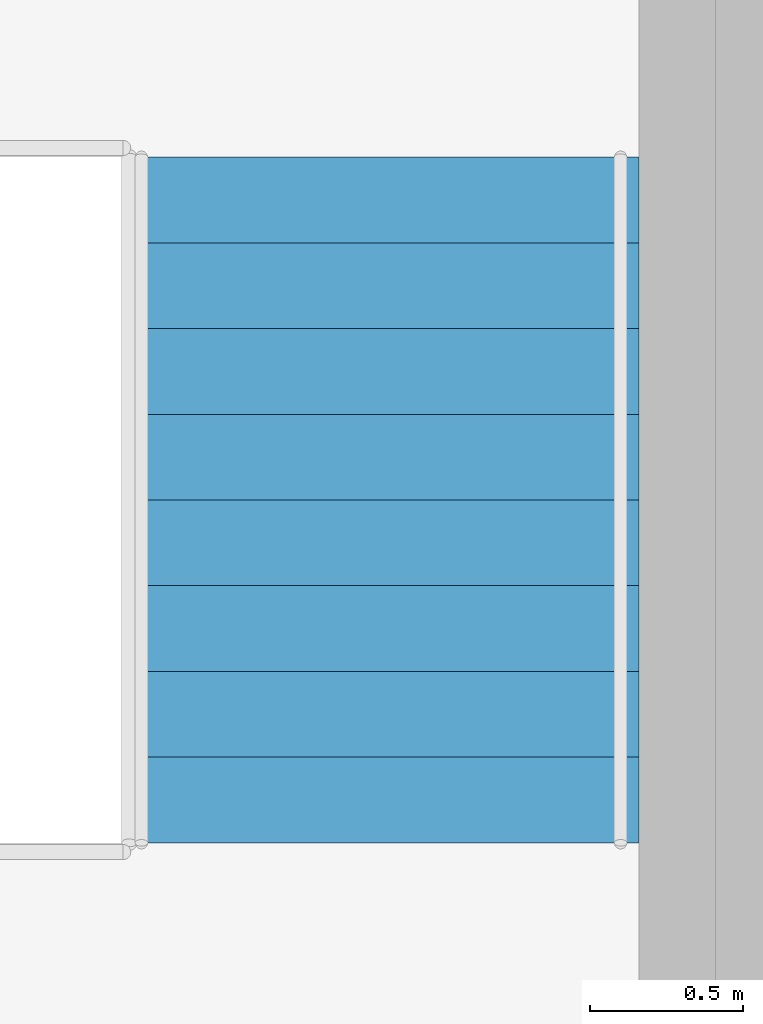
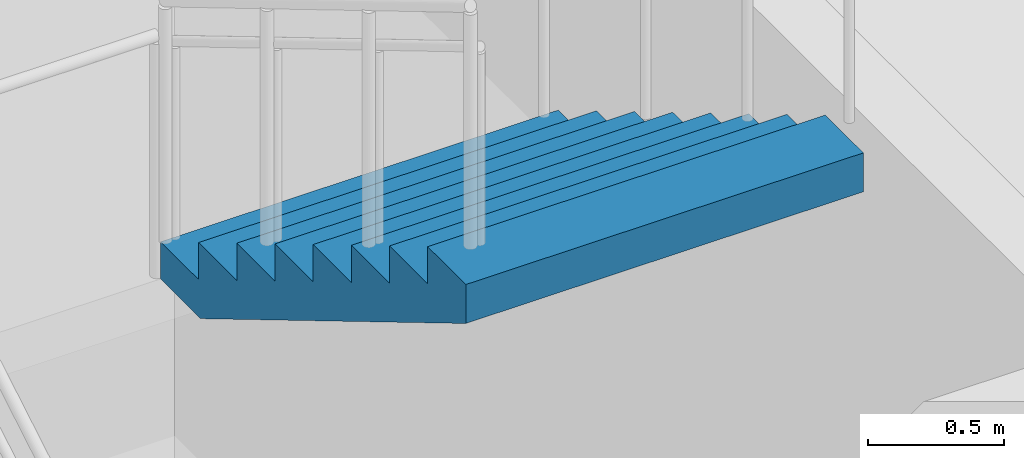
# One storey, part 30 of 57: 1 stair flight, 1 element without a shape of its own.
"""IFC4 building model written with IfcOpenShell, lengths in metres."""

import ifcopenshell
import ifcopenshell.guid

model = None  # the IFC model being written
_history = None  # IfcOwnerHistory: only IFC2X3 demands one
_inside = {}  # id of a spatial element -> (the spatial element, [elements in it])
_under = {}  # id of a project, library or spatial element -> (it, [spatial elements below it])
_declared = {}  # id of a project -> (the project, [libraries it declares])
_typed = {}  # id of a type object -> (the type object, [elements of that type])
_made_of = {}  # id of a material, layer set ... -> (it, [elements and type objects made of it])


def new_model(schema):
    """Start an empty IFC model of exactly this schema.

    Asked for "IFC4X3", IfcOpenShell would pick the latest addendum, in which some entities
    have other attributes; the version numbers below select the first issue.
    IFC2X3 requires an IfcOwnerHistory on every rooted entity: one is made here for all.
    """
    global model, _history
    if schema == "IFC4X3":
        model = ifcopenshell.file(schema_version=(4, 3, 0, 0))
    else:
        model = ifcopenshell.file(schema=schema)
    _inside.clear()
    _under.clear()
    _declared.clear()
    _typed.clear()
    _made_of.clear()
    _history = None
    if model.schema == "IFC2X3":
        org = make("IfcOrganization", Name="unknown")
        user = make(
            "IfcPersonAndOrganization",
            ThePerson=make("IfcPerson", FamilyName="unknown"),
            TheOrganization=org,
        )
        app = make(
            "IfcApplication",
            ApplicationDeveloper=org,
            Version="unknown",
            ApplicationFullName="unknown",
            ApplicationIdentifier="unknown",
        )
        _history = make(
            "IfcOwnerHistory",
            OwningUser=user,
            OwningApplication=app,
            ChangeAction="ADDED",
            CreationDate=0,
        )
    return model


def make(cls, **values):
    """One entity of the class cls with the attributes given. An attribute that is None is left unset."""
    return model.create_entity(
        cls, **{name: value for name, value in values.items() if value is not None}
    )


def rooted(cls, **values):
    """An entity with a GlobalId (a new one), such as an element, a storey or a relation."""
    return make(cls, GlobalId=ifcopenshell.guid.new(), OwnerHistory=_history, **values)


def si_unit(unit_type, name, prefix=None):
    """IfcSIUnit, for example si_unit("LENGTHUNIT", "METRE", prefix="MILLI")."""
    return make("IfcSIUnit", UnitType=unit_type, Prefix=prefix, Name=name)


def assignment(units):
    """IfcUnitAssignment: the units of a project."""
    return None if units is None else make("IfcUnitAssignment", Units=units)


def point(xyz):
    """IfcCartesianPoint."""
    return None if xyz is None else make("IfcCartesianPoint", Coordinates=xyz)


def direction(xyz):
    """IfcDirection."""
    return None if xyz is None else make("IfcDirection", DirectionRatios=xyz)


def frame(location, z_axis=None, x_axis=None):
    """IfcAxis2Placement3D, a coordinate frame: its origin and axes. An axis left out is left unset."""
    return make(
        "IfcAxis2Placement3D",
        Location=point(location),
        Axis=direction(z_axis),
        RefDirection=direction(x_axis),
    )


def origin():
    """The frame at (0, 0, 0) with its axes left unset."""
    return frame((0.0, 0.0, 0.0))


def place(relative_to, where):
    """IfcLocalPlacement: puts the frame where relative to a parent placement (None: the world)."""
    return make(
        "IfcLocalPlacement", PlacementRelTo=relative_to, RelativePlacement=where
    )


def context(
    kind, dimensions, precision=None, world=None, true_north=None, identifier=None
):
    """IfcGeometricRepresentationContext, for example the 3D "Model" context."""
    return make(
        "IfcGeometricRepresentationContext",
        ContextIdentifier=identifier,
        ContextType=kind,
        CoordinateSpaceDimension=dimensions,
        Precision=precision,
        WorldCoordinateSystem=world,
        TrueNorth=true_north,
    )


def subcontext(parent, identifier, kind, view, scale=None):
    """IfcGeometricRepresentationSubContext, for example "Body" below "Model"."""
    return make(
        "IfcGeometricRepresentationSubContext",
        ContextIdentifier=identifier,
        ContextType=kind,
        ParentContext=parent,
        TargetScale=scale,
        TargetView=view,
    )


def project(units=None, contexts=None):
    """IfcProject with its units and contexts."""
    return rooted(
        "IfcProject",
        Name="project",
        RepresentationContexts=contexts,
        UnitsInContext=assignment(units),
    )


def spatial(cls, under=None, at=None, **own):
    """A site, building, storey or space (cls), placed at a placement, below another one or the project."""
    s = rooted(cls, ObjectPlacement=at, **own)
    if under is not None:
        _under.setdefault(under.id(), (under, []))[1].append(s)
    return s


def point_list(points):
    """IfcCartesianPointList2D or 3D."""
    cls = (
        "IfcCartesianPointList2D" if len(points[0]) == 2 else "IfcCartesianPointList3D"
    )
    return make(cls, CoordList=points)


def triangles(points, corners, closed=None, point_numbers=None):
    """IfcTriangulatedFaceSet: each triangle names its three corners, points numbered from 1."""
    return make(
        "IfcTriangulatedFaceSet",
        Coordinates=point_list(points),
        Closed=closed,
        CoordIndex=corners,
        PnIndex=point_numbers,
    )


def shape(context_of_items, identifier, shape_type, items):
    """IfcShapeRepresentation: the items that make up one representation, for example the "Body"."""
    return make(
        "IfcShapeRepresentation",
        ContextOfItems=context_of_items,
        RepresentationIdentifier=identifier,
        RepresentationType=shape_type,
        Items=items,
    )


def material(Name=None, Category=None):
    """IfcMaterial."""
    return make("IfcMaterial", Name=Name, Category=Category)


def made_of(thing, what):
    """Note that an element or type object is made of a material, layer set ...; save() writes the relation."""
    if what is not None:
        _made_of.setdefault(what.id(), (what, []))[1].append(thing)
    return thing


def type_object(cls, material=None, **own):
    """A type object (cls), such as IfcWallType, which elements share."""
    return made_of(rooted(cls, **own), material)


def element(
    cls,
    number,
    at=None,
    inside=None,
    cuts=None,
    type_object=None,
    material=None,
    context=None,
    identifier="Body",
    shape_type=None,
    held_by="IfcProductDefinitionShape",
    body=None,
    shapes=None,
    **own,
):
    """One element of the class cls, such as IfcWall. Its Tag is "e" and its number.

    at: its placement. inside: the storey or other place that contains it. cuts: it is an
    opening in that element (IfcRelVoidsElement). A single representation is given by context,
    identifier, shape_type and body (its items); several are given by shapes. held_by: the class
    of the entity that holds the representations. save() writes the other relations.
    """
    e = rooted(cls, Tag="e%d" % number, ObjectPlacement=at, **own)
    if body is not None:
        shapes = [shape(context, identifier, shape_type, body)]
    if shapes is not None:
        e.Representation = make(held_by, Representations=shapes)
    if inside is not None:
        _inside.setdefault(inside.id(), (inside, []))[1].append(e)
    if cuts is not None:
        rooted(
            "IfcRelVoidsElement", RelatingBuildingElement=cuts, RelatedOpeningElement=e
        )
    if type_object is not None:
        _typed.setdefault(type_object.id(), (type_object, []))[1].append(e)
    return made_of(e, material)


def aggregate(whole, parts):
    """IfcRelAggregates: a whole, such as a stair, and the parts it consists of."""
    return rooted("IfcRelAggregates", RelatingObject=whole, RelatedObjects=parts)


def save(model, path):
    """Write the relations noted so far, then the file.

    IfcRelAggregates (storeys below a building ...), IfcRelContainedInSpatialStructure (elements
    in a storey), IfcRelDefinesByType, IfcRelAssociatesMaterial and IfcRelDeclares: one each for
    every whole, place, type object, material and project.
    """
    for whole, parts in _under.values():
        aggregate(whole, parts)
    for where, things in _inside.values():
        rooted(
            "IfcRelContainedInSpatialStructure",
            RelatedElements=things,
            RelatingStructure=where,
        )
    for kind, things in _typed.values():
        rooted("IfcRelDefinesByType", RelatedObjects=things, RelatingType=kind)
    for what, things in _made_of.values():
        rooted("IfcRelAssociatesMaterial", RelatedObjects=things, RelatingMaterial=what)
    for by, libraries in _declared.values():
        rooted("IfcRelDeclares", RelatingContext=by, RelatedDefinitions=libraries)
    model.write(path)


model = new_model("IFC4")

# Units and contexts
model_context = context("Model", 3, precision=1e-05, world=origin(), true_north=direction((0.0, 1.0)))
body_context = subcontext(model_context, "Body", "Model", "MODEL_VIEW")
ifc_project = project(units=[si_unit("LENGTHUNIT", "METRE"), si_unit("AREAUNIT", "SQUARE_METRE"), si_unit("VOLUMEUNIT", "CUBIC_METRE"), si_unit("PLANEANGLEUNIT", "RADIAN"), si_unit("MASSUNIT", "GRAM", prefix="KILO")], contexts=[model_context])

# Site, building, storey
site_placement = place(None, origin())
site = spatial("IfcSite", under=ifc_project, at=site_placement, CompositionType="ELEMENT")
building_placement = place(site_placement, origin())
building = spatial("IfcBuilding", under=site, at=building_placement, Name="Orbita Commons", CompositionType="ELEMENT")
storey_placement = place(building_placement, origin())
storey = spatial("IfcBuildingStorey", under=building, at=storey_placement, Name="L00", CompositionType="ELEMENT", Elevation=0.0)

# Stair, stair flight
ifc_material_1 = material(Name="Precast concrete C40/50", Category="concrete")
stair_type = type_object("IfcStairType", Name="Podium exit stair 4 flights 9 risers 167", PredefinedType="HALF_TURN_STAIR", material=ifc_material_1)
stair_placement = place(storey_placement, origin())
stair = element("IfcStair", 1, at=stair_placement, inside=storey, type_object=stair_type, Name="Podium exit stair PS1 L00", PredefinedType="HALF_TURN_STAIR")
ifc_material_2 = material(Name="Precast concrete C40/50", Category="concrete")
stair_flight_type = type_object("IfcStairFlightType", Name="Podium stair flight 9 risers 167 x 1685", PredefinedType="STRAIGHT", material=ifc_material_2)
stair_flight_placement = place(storey_placement, frame((10.4326171875, 32.06005859375, 4.5), z_axis=(0.0, 0.0, 1.0), x_axis=(0.0, -1.0, 0.0)))
stair_flight = element("IfcStairFlight", 2, at=stair_flight_placement, type_object=stair_flight_type, Name="PS1 flight 4", NumberOfRisers=9, NumberOfTreads=8, PredefinedType="STRAIGHT", RiserHeight=0.166666667, TreadLength=0.28, context=body_context, shape_type="Tessellation", body=[
    triangles([(0.0, 0.842529, 0.0), (0.0, 0.842529, 0.020833), (0.0, 0.702108, 0.020833), (0.0, 0.702108, 0.0), (0.0, 0.561686, 0.020833), (0.0, 0.561686, 0.0), (0.0, 0.421265, 0.020833), (0.0, 0.421265, 0.0), (0.0, 0.280843, 0.020833), (0.0, 0.280843, 0.0), (0.0, 0.140422, 0.020833), (0.0, 0.140422, 0.0), (0.0, 0.0, 0.020833), (0.0, 0.0, 0.0), (0.0, -0.140422, 0.020833), (0.0, -0.140422, 0.0), (0.0, -0.280843, 0.020833), (0.0, -0.280843, 0.0), (0.0, -0.421265, 0.020833), (0.0, -0.421265, 0.0), (0.0, -0.561686, 0.020833), (0.0, -0.561686, 0.0), (0.0, -0.702108, 0.020833), (0.0, -0.702108, 0.0), (0.0, -0.842529, 0.020833), (0.0, -0.842529, 0.0), (0.0, 0.842529, 0.041667), (0.0, 0.702108, 0.041667), (0.0, 0.561686, 0.041667), (0.0, 0.421265, 0.041667), (0.0, 0.280843, 0.041667), (0.0, 0.140422, 0.041667), (0.0, 0.0, 0.041667), (0.0, -0.140422, 0.041667), (0.0, -0.280843, 0.041667), (0.0, -0.421265, 0.041667), (0.0, -0.561686, 0.041667), (0.0, -0.702108, 0.041667), (0.0, -0.842529, 0.041667), (0.0, 0.842529, 0.0625), (0.0, 0.702108, 0.0625), (0.0, 0.561686, 0.0625), (0.0, 0.421265, 0.0625), (0.0, 0.280843, 0.0625), (0.0, 0.140422, 0.0625), (0.0, 0.0, 0.0625), (0.0, -0.140422, 0.0625), (0.0, -0.280843, 0.0625), (0.0, -0.421265, 0.0625), (0.0, -0.561686, 0.0625), (0.0, -0.702108, 0.0625), (0.0, -0.842529, 0.0625), (0.0, 0.842529, 0.083333), (0.0, 0.702108, 0.083333), (0.0, 0.561686, 0.083333), (0.0, 0.421265, 0.083333), (0.0, 0.280843, 0.083333), (0.0, 0.140422, 0.083333), (0.0, 0.0, 0.083333), (0.0, -0.140422, 0.083333), (0.0, -0.280843, 0.083333), (0.0, -0.421265, 0.083333), (0.0, -0.561686, 0.083333), (0.0, -0.702108, 0.083333), (0.0, -0.842529, 0.083333), (0.0, 0.842529, 0.104167), (0.0, 0.702108, 0.104167), (0.0, 0.561686, 0.104167), (0.0, 0.421265, 0.104167), (0.0, 0.280843, 0.104167), (0.0, 0.140422, 0.104167), (0.0, 0.0, 0.104167), (0.0, -0.140422, 0.104167), (0.0, -0.280843, 0.104167), (0.0, -0.421265, 0.104167), (0.0, -0.561686, 0.104167), (0.0, -0.702108, 0.104167), (0.0, -0.842529, 0.104167), (0.0, 0.842529, 0.125), (0.0, 0.702108, 0.125), (0.0, 0.561686, 0.125), (0.0, 0.421265, 0.125), (0.0, 0.280843, 0.125), (0.0, 0.140422, 0.125), (0.0, 0.0, 0.125), (0.0, -0.140422, 0.125), (0.0, -0.280843, 0.125), (0.0, -0.421265, 0.125), (0.0, -0.561686, 0.125), (0.0, -0.702108, 0.125), (0.0, -0.842529, 0.125), (0.0, 0.842529, 0.145833), (0.0, 0.702108, 0.145833), (0.0, 0.561686, 0.145833), (0.0, 0.421265, 0.145833), (0.0, 0.280843, 0.145833), (0.0, 0.140422, 0.145833), (0.0, 0.0, 0.145833), (0.0, -0.140422, 0.145833), (0.0, -0.280843, 0.145833), (0.0, -0.421265, 0.145833), (0.0, -0.561686, 0.145833), (0.0, -0.702108, 0.145833), (0.0, -0.842529, 0.145833), (0.0, 0.842529, 0.166667), (0.0, 0.702108, 0.166667), (0.0, 0.561686, 0.166667), (0.0, 0.421265, 0.166667), (0.0, 0.280843, 0.166667), (0.0, 0.140422, 0.166667), (0.0, 0.0, 0.166667), (0.0, -0.140422, 0.166667), (0.0, -0.280843, 0.166667), (0.0, -0.421265, 0.166667), (0.0, -0.561686, 0.166667), (0.0, -0.702108, 0.166667), (0.0, -0.842529, 0.166667), (0.28, 0.842529, 0.166667), (0.28, 0.702108, 0.166667), (0.28, 0.561686, 0.166667), (0.28, 0.421265, 0.166667), (0.28, 0.280843, 0.166667), (0.28, 0.140422, 0.166667), (0.28, 0.0, 0.166667), (0.28, -0.140422, 0.166667), (0.28, -0.280843, 0.166667), (0.28, -0.421265, 0.166667), (0.28, -0.561686, 0.166667), (0.28, -0.702108, 0.166667), (0.28, -0.842529, 0.166667), (0.28, 0.842529, 0.333333), (0.28, 0.702108, 0.333333), (0.28, 0.561686, 0.333333), (0.28, 0.421265, 0.333333), (0.28, 0.280843, 0.333333), (0.28, 0.140422, 0.333333), (0.28, 0.0, 0.333333), (0.28, -0.140422, 0.333333), (0.28, -0.280843, 0.333333), (0.28, -0.421265, 0.333333), (0.28, -0.561686, 0.333333), (0.28, -0.702108, 0.333333), (0.28, -0.842529, 0.333333), (0.56, 0.842529, 0.333333), (0.56, 0.702108, 0.333333), (0.56, 0.561686, 0.333333), (0.56, 0.421265, 0.333333), (0.56, 0.280843, 0.333333), (0.56, 0.140422, 0.333333), (0.56, 0.0, 0.333333), (0.56, -0.140422, 0.333333), (0.56, -0.280843, 0.333333), (0.56, -0.421265, 0.333333), (0.56, -0.561686, 0.333333), (0.56, -0.702108, 0.333333), (0.56, -0.842529, 0.333333), (0.56, 0.842529, 0.5), (0.56, 0.702108, 0.5), (0.56, 0.561686, 0.5), (0.56, 0.421265, 0.5), (0.56, 0.280843, 0.5), (0.56, 0.140422, 0.5), (0.56, 0.0, 0.5), (0.56, -0.140422, 0.5), (0.56, -0.280843, 0.5), (0.56, -0.421265, 0.5), (0.56, -0.561686, 0.5), (0.56, -0.702108, 0.5), (0.56, -0.842529, 0.5), (0.84, 0.842529, 0.5), (0.84, 0.702108, 0.5), (0.84, 0.561686, 0.5), (0.84, 0.421265, 0.5), (0.84, 0.280843, 0.5), (0.84, 0.140422, 0.5), (0.84, 0.0, 0.5), (0.84, -0.140422, 0.5), (0.84, -0.280843, 0.5), (0.84, -0.421265, 0.5), (0.84, -0.561686, 0.5), (0.84, -0.702108, 0.5), (0.84, -0.842529, 0.5), (0.84, 0.842529, 0.666667), (0.84, 0.702108, 0.666667), (0.84, 0.561686, 0.666667), (0.84, 0.421265, 0.666667), (0.84, 0.280843, 0.666667), (0.84, 0.140422, 0.666667), (0.84, 0.0, 0.666667), (0.84, -0.140422, 0.666667), (0.84, -0.280843, 0.666667), (0.84, -0.421265, 0.666667), (0.84, -0.561686, 0.666667), (0.84, -0.702108, 0.666667), (0.84, -0.842529, 0.666667), (1.12, 0.842529, 0.666667), (1.12, 0.702108, 0.666667), (1.12, 0.561686, 0.666667), (1.12, 0.421265, 0.666667), (1.12, 0.280843, 0.666667), (1.12, 0.140422, 0.666667), (1.12, 0.0, 0.666667), (1.12, -0.140422, 0.666667), (1.12, -0.280843, 0.666667), (1.12, -0.421265, 0.666667), (1.12, -0.561686, 0.666667), (1.12, -0.702108, 0.666667), (1.12, -0.842529, 0.666667), (1.12, 0.842529, 0.833333), (1.12, 0.702108, 0.833333), (1.12, 0.561686, 0.833333), (1.12, 0.421265, 0.833333), (1.12, 0.280843, 0.833333), (1.12, 0.140422, 0.833333), (1.12, 0.0, 0.833333), (1.12, -0.140422, 0.833333), (1.12, -0.280843, 0.833333), (1.12, -0.421265, 0.833333), (1.12, -0.561686, 0.833333), (1.12, -0.702108, 0.833333), (1.12, -0.842529, 0.833333), (1.4, 0.842529, 0.833333), (1.4, 0.702108, 0.833333), (1.4, 0.561686, 0.833333), (1.4, 0.421265, 0.833333), (1.4, 0.280843, 0.833333), (1.4, 0.140422, 0.833333), (1.4, 0.0, 0.833333), (1.4, -0.140422, 0.833333), (1.4, -0.280843, 0.833333), (1.4, -0.421265, 0.833333), (1.4, -0.561686, 0.833333), (1.4, -0.702108, 0.833333), (1.4, -0.842529, 0.833333), (1.4, 0.842529, 1.0), (1.4, 0.702108, 1.0), (1.4, 0.561686, 1.0), (1.4, 0.421265, 1.0), (1.4, 0.280843, 1.0), (1.4, 0.140422, 1.0), (1.4, 0.0, 1.0), (1.4, -0.140422, 1.0), (1.4, -0.280843, 1.0), (1.4, -0.421265, 1.0), (1.4, -0.561686, 1.0), (1.4, -0.702108, 1.0), (1.4, -0.842529, 1.0), (1.68, 0.842529, 1.0), (1.68, 0.702108, 1.0), (1.68, 0.561686, 1.0), (1.68, 0.421265, 1.0), (1.68, 0.280843, 1.0), (1.68, 0.140422, 1.0), (1.68, 0.0, 1.0), (1.68, -0.140422, 1.0), (1.68, -0.280843, 1.0), (1.68, -0.421265, 1.0), (1.68, -0.561686, 1.0), (1.68, -0.702108, 1.0), (1.68, -0.842529, 1.0), (1.68, 0.842529, 1.166667), (1.68, 0.702108, 1.166667), (1.68, 0.561686, 1.166667), (1.68, 0.421265, 1.166667), (1.68, 0.280843, 1.166667), (1.68, 0.140422, 1.166667), (1.68, 0.0, 1.166667), (1.68, -0.140422, 1.166667), (1.68, -0.280843, 1.166667), (1.68, -0.421265, 1.166667), (1.68, -0.561686, 1.166667), (1.68, -0.702108, 1.166667), (1.68, -0.842529, 1.166667), (1.96, 0.842529, 1.166667), (1.96, 0.702108, 1.166667), (1.96, 0.561686, 1.166667), (1.96, 0.421265, 1.166667), (1.96, 0.280843, 1.166667), (1.96, 0.140422, 1.166667), (1.96, 0.0, 1.166667), (1.96, -0.140422, 1.166667), (1.96, -0.280843, 1.166667), (1.96, -0.421265, 1.166667), (1.96, -0.561686, 1.166667), (1.96, -0.702108, 1.166667), (1.96, -0.842529, 1.166667), (1.96, 0.842529, 1.333333), (1.96, 0.702108, 1.333333), (1.96, 0.561686, 1.333333), (1.96, 0.421265, 1.333333), (1.96, 0.280843, 1.333333), (1.96, 0.140422, 1.333333), (1.96, 0.0, 1.333333), (1.96, -0.140422, 1.333333), (1.96, -0.280843, 1.333333), (1.96, -0.421265, 1.333333), (1.96, -0.561686, 1.333333), (1.96, -0.702108, 1.333333), (1.96, -0.842529, 1.333333), (2.24, 0.842529, 1.333333), (2.24, 0.702108, 1.333333), (2.24, 0.561686, 1.333333), (2.24, 0.421265, 1.333333), (2.24, 0.280843, 1.333333), (2.24, 0.140422, 1.333333), (2.24, 0.0, 1.333333), (2.24, -0.140422, 1.333333), (2.24, -0.280843, 1.333333), (2.24, -0.421265, 1.333333), (2.24, -0.561686, 1.333333), (2.24, -0.702108, 1.333333), (2.24, -0.842529, 1.333333), (2.24, 0.842529, 1.311527), (2.24, 0.702108, 1.311527), (2.24, 0.561686, 1.311527), (2.24, 0.421265, 1.311527), (2.24, 0.280843, 1.311527), (2.24, 0.140422, 1.311527), (2.24, 0.0, 1.311527), (2.24, -0.140422, 1.311527), (2.24, -0.280843, 1.311527), (2.24, -0.421265, 1.311527), (2.24, -0.561686, 1.311527), (2.24, -0.702108, 1.311527), (2.24, -0.842529, 1.311527), (2.24, 0.842529, 1.289721), (2.24, 0.702108, 1.289721), (2.24, 0.561686, 1.289721), (2.24, 0.421265, 1.289721), (2.24, 0.280843, 1.289721), (2.24, 0.140422, 1.289721), (2.24, 0.0, 1.289721), (2.24, -0.140422, 1.289721), (2.24, -0.280843, 1.289721), (2.24, -0.421265, 1.289721), (2.24, -0.561686, 1.289721), (2.24, -0.702108, 1.289721), (2.24, -0.842529, 1.289721), (2.24, 0.842529, 1.267915), (2.24, 0.702108, 1.267915), (2.24, 0.561686, 1.267915), (2.24, 0.421265, 1.267915), (2.24, 0.280843, 1.267915), (2.24, 0.140422, 1.267915), (2.24, 0.0, 1.267915), (2.24, -0.140422, 1.267915), (2.24, -0.280843, 1.267915), (2.24, -0.421265, 1.267915), (2.24, -0.561686, 1.267915), (2.24, -0.702108, 1.267915), (2.24, -0.842529, 1.267915), (2.24, 0.842529, 1.246109), (2.24, 0.702108, 1.246109), (2.24, 0.561686, 1.246109), (2.24, 0.421265, 1.246109), (2.24, 0.280843, 1.246109), (2.24, 0.140422, 1.246109), (2.24, 0.0, 1.246109), (2.24, -0.140422, 1.246109), (2.24, -0.280843, 1.246109), (2.24, -0.421265, 1.246109), (2.24, -0.561686, 1.246109), (2.24, -0.702108, 1.246109), (2.24, -0.842529, 1.246109), (2.24, 0.842529, 1.224303), (2.24, 0.702108, 1.224303), (2.24, 0.561686, 1.224303), (2.24, 0.421265, 1.224303), (2.24, 0.280843, 1.224303), (2.24, 0.140422, 1.224303), (2.24, 0.0, 1.224303), (2.24, -0.140422, 1.224303), (2.24, -0.280843, 1.224303), (2.24, -0.421265, 1.224303), (2.24, -0.561686, 1.224303), (2.24, -0.702108, 1.224303), (2.24, -0.842529, 1.224303), (2.24, 0.842529, 1.202497), (2.24, 0.702108, 1.202497), (2.24, 0.561686, 1.202497), (2.24, 0.421265, 1.202497), (2.24, 0.280843, 1.202497), (2.24, 0.140422, 1.202497), (2.24, 0.0, 1.202497), (2.24, -0.140422, 1.202497), (2.24, -0.280843, 1.202497), (2.24, -0.421265, 1.202497), (2.24, -0.561686, 1.202497), (2.24, -0.702108, 1.202497), (2.24, -0.842529, 1.202497), (2.24, 0.842529, 1.180691), (2.24, 0.702108, 1.180691), (2.24, 0.561686, 1.180691), (2.24, 0.421265, 1.180691), (2.24, 0.280843, 1.180691), (2.24, 0.140422, 1.180691), (2.24, 0.0, 1.180691), (2.24, -0.140422, 1.180691), (2.24, -0.280843, 1.180691), (2.24, -0.421265, 1.180691), (2.24, -0.561686, 1.180691), (2.24, -0.702108, 1.180691), (2.24, -0.842529, 1.180691), (2.24, 0.842529, 1.158885), (2.24, 0.702108, 1.158885), (2.24, 0.561686, 1.158885), (2.24, 0.421265, 1.158885), (2.24, 0.280843, 1.158885), (2.24, 0.140422, 1.158885), (2.24, 0.0, 1.158885), (2.24, -0.140422, 1.158885), (2.24, -0.280843, 1.158885), (2.24, -0.421265, 1.158885), (2.24, -0.561686, 1.158885), (2.24, -0.702108, 1.158885), (2.24, -0.842529, 1.158885), (0.293073, 0.842529, 0.0), (0.293073, 0.702108, 0.0), (0.293073, 0.561686, 0.0), (0.293073, 0.421265, 0.0), (0.293073, 0.280843, 0.0), (0.293073, 0.140422, 0.0), (0.293073, 0.0, 0.0), (0.293073, -0.140422, 0.0), (0.293073, -0.280843, 0.0), (0.293073, -0.421265, 0.0), (0.293073, -0.561686, 0.0), (0.293073, -0.702108, 0.0), (0.293073, -0.842529, 0.0)], [[3, 2, 1], [4, 3, 1], [5, 3, 4], [6, 5, 4], [7, 5, 6], [8, 7, 6], [9, 7, 8], [10, 9, 8], [11, 9, 10], [12, 11, 10], [13, 11, 12], [14, 13, 12], [15, 13, 14], [16, 15, 14], [17, 15, 16], [18, 17, 16], [19, 17, 18], [20, 19, 18], [21, 19, 20], [22, 21, 20], [23, 21, 22], [24, 23, 22], [25, 23, 24], [26, 25, 24], [28, 27, 2], [3, 28, 2], [29, 28, 3], [5, 29, 3], [30, 29, 5], [7, 30, 5], [31, 30, 7], [9, 31, 7], [32, 31, 9], [11, 32, 9], [33, 32, 11], [13, 33, 11], [34, 33, 13], [15, 34, 13], [35, 34, 15], [17, 35, 15], [36, 35, 17], [19, 36, 17], [37, 36, 19], [21, 37, 19], [38, 37, 21], [23, 38, 21], [39, 38, 23], [25, 39, 23], [41, 40, 27], [28, 41, 27], [42, 41, 28], [29, 42, 28], [43, 42, 29], [30, 43, 29], [44, 43, 30], [31, 44, 30], [45, 44, 31], [32, 45, 31], [46, 45, 32], [33, 46, 32], [47, 46, 33], [34, 47, 33], [48, 47, 34], [35, 48, 34], [49, 48, 35], [36, 49, 35], [50, 49, 36], [37, 50, 36], [51, 50, 37], [38, 51, 37], [52, 51, 38], [39, 52, 38], [54, 53, 40], [41, 54, 40], [55, 54, 41], [42, 55, 41], [56, 55, 42], [43, 56, 42], [57, 56, 43], [44, 57, 43], [58, 57, 44], [45, 58, 44], [59, 58, 45], [46, 59, 45], [60, 59, 46], [47, 60, 46], [61, 60, 47], [48, 61, 47], [62, 61, 48], [49, 62, 48], [63, 62, 49], [50, 63, 49], [64, 63, 50], [51, 64, 50], [65, 64, 51], [52, 65, 51], [67, 66, 53], [54, 67, 53], [68, 67, 54], [55, 68, 54], [69, 68, 55], [56, 69, 55], [70, 69, 56], [57, 70, 56], [71, 70, 57], [58, 71, 57], [72, 71, 58], [59, 72, 58], [73, 72, 59], [60, 73, 59], [74, 73, 60], [61, 74, 60], [75, 74, 61], [62, 75, 61], [76, 75, 62], [63, 76, 62], [77, 76, 63], [64, 77, 63], [78, 77, 64], [65, 78, 64], [80, 79, 66], [67, 80, 66], [81, 80, 67], [68, 81, 67], [82, 81, 68], [69, 82, 68], [83, 82, 69], [70, 83, 69], [84, 83, 70], [71, 84, 70], [85, 84, 71], [72, 85, 71], [86, 85, 72], [73, 86, 72], [87, 86, 73], [74, 87, 73], [88, 87, 74], [75, 88, 74], [89, 88, 75], [76, 89, 75], [90, 89, 76], [77, 90, 76], [91, 90, 77], [78, 91, 77], [93, 92, 79], [80, 93, 79], [94, 93, 80], [81, 94, 80], [95, 94, 81], [82, 95, 81], [96, 95, 82], [83, 96, 82], [97, 96, 83], [84, 97, 83], [98, 97, 84], [85, 98, 84], [99, 98, 85], [86, 99, 85], [100, 99, 86], [87, 100, 86], [101, 100, 87], [88, 101, 87], [102, 101, 88], [89, 102, 88], [103, 102, 89], [90, 103, 89], [104, 103, 90], [91, 104, 90], [106, 105, 92], [93, 106, 92], [107, 106, 93], [94, 107, 93], [108, 107, 94], [95, 108, 94], [109, 108, 95], [96, 109, 95], [110, 109, 96], [97, 110, 96], [111, 110, 97], [98, 111, 97], [112, 111, 98], [99, 112, 98], [113, 112, 99], [100, 113, 99], [114, 113, 100], [101, 114, 100], [115, 114, 101], [102, 115, 101], [116, 115, 102], [103, 116, 102], [117, 116, 103], [104, 117, 103], [119, 118, 105], [106, 119, 105], [120, 119, 106], [107, 120, 106], [121, 120, 107], [108, 121, 107], [122, 121, 108], [109, 122, 108], [123, 122, 109], [110, 123, 109], [124, 123, 110], [111, 124, 110], [125, 124, 111], [112, 125, 111], [126, 125, 112], [113, 126, 112], [127, 126, 113], [114, 127, 113], [128, 127, 114], [115, 128, 114], [129, 128, 115], [116, 129, 115], [130, 129, 116], [117, 130, 116], [132, 131, 118], [119, 132, 118], [133, 132, 119], [120, 133, 119], [134, 133, 120], [121, 134, 120], [135, 134, 121], [122, 135, 121], [136, 135, 122], [123, 136, 122], [137, 136, 123], [124, 137, 123], [138, 137, 124], [125, 138, 124], [139, 138, 125], [126, 139, 125], [140, 139, 126], [127, 140, 126], [141, 140, 127], [128, 141, 127], [142, 141, 128], [129, 142, 128], [143, 142, 129], [130, 143, 129], [145, 144, 131], [132, 145, 131], [146, 145, 132], [133, 146, 132], [147, 146, 133], [134, 147, 133], [148, 147, 134], [135, 148, 134], [149, 148, 135], [136, 149, 135], [150, 149, 136], [137, 150, 136], [151, 150, 137], [138, 151, 137], [152, 151, 138], [139, 152, 138], [153, 152, 139], [140, 153, 139], [154, 153, 140], [141, 154, 140], [155, 154, 141], [142, 155, 141], [156, 155, 142], [143, 156, 142], [158, 157, 144], [145, 158, 144], [159, 158, 145], [146, 159, 145], [160, 159, 146], [147, 160, 146], [161, 160, 147], [148, 161, 147], [162, 161, 148], [149, 162, 148], [163, 162, 149], [150, 163, 149], [164, 163, 150], [151, 164, 150], [165, 164, 151], [152, 165, 151], [166, 165, 152], [153, 166, 152], [167, 166, 153], [154, 167, 153], [168, 167, 154], [155, 168, 154], [169, 168, 155], [156, 169, 155], [171, 170, 157], [158, 171, 157], [172, 171, 158], [159, 172, 158], [173, 172, 159], [160, 173, 159], [174, 173, 160], [161, 174, 160], [175, 174, 161], [162, 175, 161], [176, 175, 162], [163, 176, 162], [177, 176, 163], [164, 177, 163], [178, 177, 164], [165, 178, 164], [179, 178, 165], [166, 179, 165], [180, 179, 166], [167, 180, 166], [181, 180, 167], [168, 181, 167], [182, 181, 168], [169, 182, 168], [184, 183, 170], [171, 184, 170], [185, 184, 171], [172, 185, 171], [186, 185, 172], [173, 186, 172], [187, 186, 173], [174, 187, 173], [188, 187, 174], [175, 188, 174], [189, 188, 175], [176, 189, 175], [190, 189, 176], [177, 190, 176], [191, 190, 177], [178, 191, 177], [192, 191, 178], [179, 192, 178], [193, 192, 179], [180, 193, 179], [194, 193, 180], [181, 194, 180], [195, 194, 181], [182, 195, 181], [197, 196, 183], [184, 197, 183], [198, 197, 184], [185, 198, 184], [199, 198, 185], [186, 199, 185], [200, 199, 186], [187, 200, 186], [201, 200, 187], [188, 201, 187], [202, 201, 188], [189, 202, 188], [203, 202, 189], [190, 203, 189], [204, 203, 190], [191, 204, 190], [205, 204, 191], [192, 205, 191], [206, 205, 192], [193, 206, 192], [207, 206, 193], [194, 207, 193], [208, 207, 194], [195, 208, 194], [210, 209, 196], [197, 210, 196], [211, 210, 197], [198, 211, 197], [212, 211, 198], [199, 212, 198], [213, 212, 199], [200, 213, 199], [214, 213, 200], [201, 214, 200], [215, 214, 201], [202, 215, 201], [216, 215, 202], [203, 216, 202], [217, 216, 203], [204, 217, 203], [218, 217, 204], [205, 218, 204], [219, 218, 205], [206, 219, 205], [220, 219, 206], [207, 220, 206], [221, 220, 207], [208, 221, 207], [223, 222, 209], [210, 223, 209], [224, 223, 210], [211, 224, 210], [225, 224, 211], [212, 225, 211], [226, 225, 212], [213, 226, 212], [227, 226, 213], [214, 227, 213], [228, 227, 214], [215, 228, 214], [229, 228, 215], [216, 229, 215], [230, 229, 216], [217, 230, 216], [231, 230, 217], [218, 231, 217], [232, 231, 218], [219, 232, 218], [233, 232, 219], [220, 233, 219], [234, 233, 220], [221, 234, 220], [236, 235, 222], [223, 236, 222], [237, 236, 223], [224, 237, 223], [238, 237, 224], [225, 238, 224], [239, 238, 225], [226, 239, 225], [240, 239, 226], [227, 240, 226], [241, 240, 227], [228, 241, 227], [242, 241, 228], [229, 242, 228], [243, 242, 229], [230, 243, 229], [244, 243, 230], [231, 244, 230], [245, 244, 231], [232, 245, 231], [246, 245, 232], [233, 246, 232], [247, 246, 233], [234, 247, 233], [249, 248, 235], [236, 249, 235], [250, 249, 236], [237, 250, 236], [251, 250, 237], [238, 251, 237], [252, 251, 238], [239, 252, 238], [253, 252, 239], [240, 253, 239], [254, 253, 240], [241, 254, 240], [255, 254, 241], [242, 255, 241], [256, 255, 242], [243, 256, 242], [257, 256, 243], [244, 257, 243], [258, 257, 244], [245, 258, 244], [259, 258, 245], [246, 259, 245], [260, 259, 246], [247, 260, 246], [262, 261, 248], [249, 262, 248], [263, 262, 249], [250, 263, 249], [264, 263, 250], [251, 264, 250], [265, 264, 251], [252, 265, 251], [266, 265, 252], [253, 266, 252], [267, 266, 253], [254, 267, 253], [268, 267, 254], [255, 268, 254], [269, 268, 255], [256, 269, 255], [270, 269, 256], [257, 270, 256], [271, 270, 257], [258, 271, 257], [272, 271, 258], [259, 272, 258], [273, 272, 259], [260, 273, 259], [275, 274, 261], [262, 275, 261], [276, 275, 262], [263, 276, 262], [277, 276, 263], [264, 277, 263], [278, 277, 264], [265, 278, 264], [279, 278, 265], [266, 279, 265], [280, 279, 266], [267, 280, 266], [281, 280, 267], [268, 281, 267], [282, 281, 268], [269, 282, 268], [283, 282, 269], [270, 283, 269], [284, 283, 270], [271, 284, 270], [285, 284, 271], [272, 285, 271], [286, 285, 272], [273, 286, 272], [288, 287, 274], [275, 288, 274], [289, 288, 275], [276, 289, 275], [290, 289, 276], [277, 290, 276], [291, 290, 277], [278, 291, 277], [292, 291, 278], [279, 292, 278], [293, 292, 279], [280, 293, 279], [294, 293, 280], [281, 294, 280], [295, 294, 281], [282, 295, 281], [296, 295, 282], [283, 296, 282], [297, 296, 283], [284, 297, 283], [298, 297, 284], [285, 298, 284], [299, 298, 285], [286, 299, 285], [301, 300, 287], [288, 301, 287], [302, 301, 288], [289, 302, 288], [303, 302, 289], [290, 303, 289], [304, 303, 290], [291, 304, 290], [305, 304, 291], [292, 305, 291], [306, 305, 292], [293, 306, 292], [307, 306, 293], [294, 307, 293], [308, 307, 294], [295, 308, 294], [309, 308, 295], [296, 309, 295], [310, 309, 296], [297, 310, 296], [311, 310, 297], [298, 311, 297], [312, 311, 298], [299, 312, 298], [314, 313, 300], [301, 314, 300], [315, 314, 301], [302, 315, 301], [316, 315, 302], [303, 316, 302], [317, 316, 303], [304, 317, 303], [318, 317, 304], [305, 318, 304], [319, 318, 305], [306, 319, 305], [320, 319, 306], [307, 320, 306], [321, 320, 307], [308, 321, 307], [322, 321, 308], [309, 322, 308], [323, 322, 309], [310, 323, 309], [324, 323, 310], [311, 324, 310], [325, 324, 311], [312, 325, 311], [327, 326, 313], [314, 327, 313], [328, 327, 314], [315, 328, 314], [329, 328, 315], [316, 329, 315], [330, 329, 316], [317, 330, 316], [331, 330, 317], [318, 331, 317], [332, 331, 318], [319, 332, 318], [333, 332, 319], [320, 333, 319], [334, 333, 320], [321, 334, 320], [335, 334, 321], [322, 335, 321], [336, 335, 322], [323, 336, 322], [337, 336, 323], [324, 337, 323], [338, 337, 324], [325, 338, 324], [340, 339, 326], [327, 340, 326], [341, 340, 327], [328, 341, 327], [342, 341, 328], [329, 342, 328], [343, 342, 329], [330, 343, 329], [344, 343, 330], [331, 344, 330], [345, 344, 331], [332, 345, 331], [346, 345, 332], [333, 346, 332], [347, 346, 333], [334, 347, 333], [348, 347, 334], [335, 348, 334], [349, 348, 335], [336, 349, 335], [350, 349, 336], [337, 350, 336], [351, 350, 337], [338, 351, 337], [353, 352, 339], [340, 353, 339], [354, 353, 340], [341, 354, 340], [355, 354, 341], [342, 355, 341], [356, 355, 342], [343, 356, 342], [357, 356, 343], [344, 357, 343], [358, 357, 344], [345, 358, 344], [359, 358, 345], [346, 359, 345], [360, 359, 346], [347, 360, 346], [361, 360, 347], [348, 361, 347], [362, 361, 348], [349, 362, 348], [363, 362, 349], [350, 363, 349], [364, 363, 350], [351, 364, 350], [366, 365, 352], [353, 366, 352], [367, 366, 353], [354, 367, 353], [368, 367, 354], [355, 368, 354], [369, 368, 355], [356, 369, 355], [370, 369, 356], [357, 370, 356], [371, 370, 357], [358, 371, 357], [372, 371, 358], [359, 372, 358], [373, 372, 359], [360, 373, 359], [374, 373, 360], [361, 374, 360], [375, 374, 361], [362, 375, 361], [376, 375, 362], [363, 376, 362], [377, 376, 363], [364, 377, 363], [379, 378, 365], [366, 379, 365], [380, 379, 366], [367, 380, 366], [381, 380, 367], [368, 381, 367], [382, 381, 368], [369, 382, 368], [383, 382, 369], [370, 383, 369], [384, 383, 370], [371, 384, 370], [385, 384, 371], [372, 385, 371], [386, 385, 372], [373, 386, 372], [387, 386, 373], [374, 387, 373], [388, 387, 374], [375, 388, 374], [389, 388, 375], [376, 389, 375], [390, 389, 376], [377, 390, 376], [392, 391, 378], [379, 392, 378], [393, 392, 379], [380, 393, 379], [394, 393, 380], [381, 394, 380], [395, 394, 381], [382, 395, 381], [396, 395, 382], [383, 396, 382], [397, 396, 383], [384, 397, 383], [398, 397, 384], [385, 398, 384], [399, 398, 385], [386, 399, 385], [400, 399, 386], [387, 400, 386], [401, 400, 387], [388, 401, 387], [402, 401, 388], [389, 402, 388], [403, 402, 389], [390, 403, 389], [405, 404, 391], [392, 405, 391], [406, 405, 392], [393, 406, 392], [407, 406, 393], [394, 407, 393], [408, 407, 394], [395, 408, 394], [409, 408, 395], [396, 409, 395], [410, 409, 396], [397, 410, 396], [411, 410, 397], [398, 411, 397], [412, 411, 398], [399, 412, 398], [413, 412, 399], [400, 413, 399], [414, 413, 400], [401, 414, 400], [415, 414, 401], [402, 415, 401], [416, 415, 402], [403, 416, 402], [418, 417, 404], [405, 418, 404], [419, 418, 405], [406, 419, 405], [420, 419, 406], [407, 420, 406], [421, 420, 407], [408, 421, 407], [422, 421, 408], [409, 422, 408], [423, 422, 409], [410, 423, 409], [424, 423, 410], [411, 424, 410], [425, 424, 411], [412, 425, 411], [426, 425, 412], [413, 426, 412], [427, 426, 413], [414, 427, 413], [428, 427, 414], [415, 428, 414], [429, 428, 415], [416, 429, 415], [4, 1, 417], [418, 4, 417], [6, 4, 418], [419, 6, 418], [8, 6, 419], [420, 8, 419], [10, 8, 420], [421, 10, 420], [12, 10, 421], [422, 12, 421], [14, 12, 422], [423, 14, 422], [16, 14, 423], [424, 16, 423], [18, 16, 424], [425, 18, 424], [20, 18, 425], [426, 20, 425], [22, 20, 426], [427, 22, 426], [24, 22, 427], [428, 24, 427], [26, 24, 428], [429, 26, 428], [404, 417, 1], [26, 429, 416], [391, 404, 1], [26, 416, 403], [378, 391, 1], [26, 403, 390], [365, 378, 1], [26, 390, 377], [352, 365, 1], [26, 377, 364], [339, 352, 1], [26, 364, 351], [326, 339, 1], [26, 351, 338], [313, 326, 1], [26, 338, 325], [287, 300, 313], [325, 312, 299], [274, 287, 313], [325, 299, 286], [248, 261, 274], [286, 273, 260], [248, 274, 313], [325, 286, 260], [222, 235, 248], [260, 247, 234], [222, 248, 313], [325, 260, 234], [196, 209, 222], [234, 221, 208], [196, 222, 313], [325, 234, 208], [170, 183, 196], [208, 195, 182], [170, 196, 313], [325, 208, 182], [144, 157, 170], [182, 169, 156], [144, 170, 313], [325, 182, 156], [118, 131, 144], [156, 143, 130], [118, 144, 313], [325, 156, 130], [118, 313, 1], [26, 325, 130], [92, 105, 118], [130, 117, 104], [79, 92, 118], [130, 104, 91], [66, 79, 118], [130, 91, 78], [53, 66, 118], [130, 78, 65], [40, 53, 118], [130, 65, 52], [27, 40, 118], [130, 52, 39], [2, 27, 118], [130, 39, 25], [1, 2, 118], [130, 25, 26]], closed=True),
])
aggregate(stair, [stair_flight])

save(model, "model.ifc")
